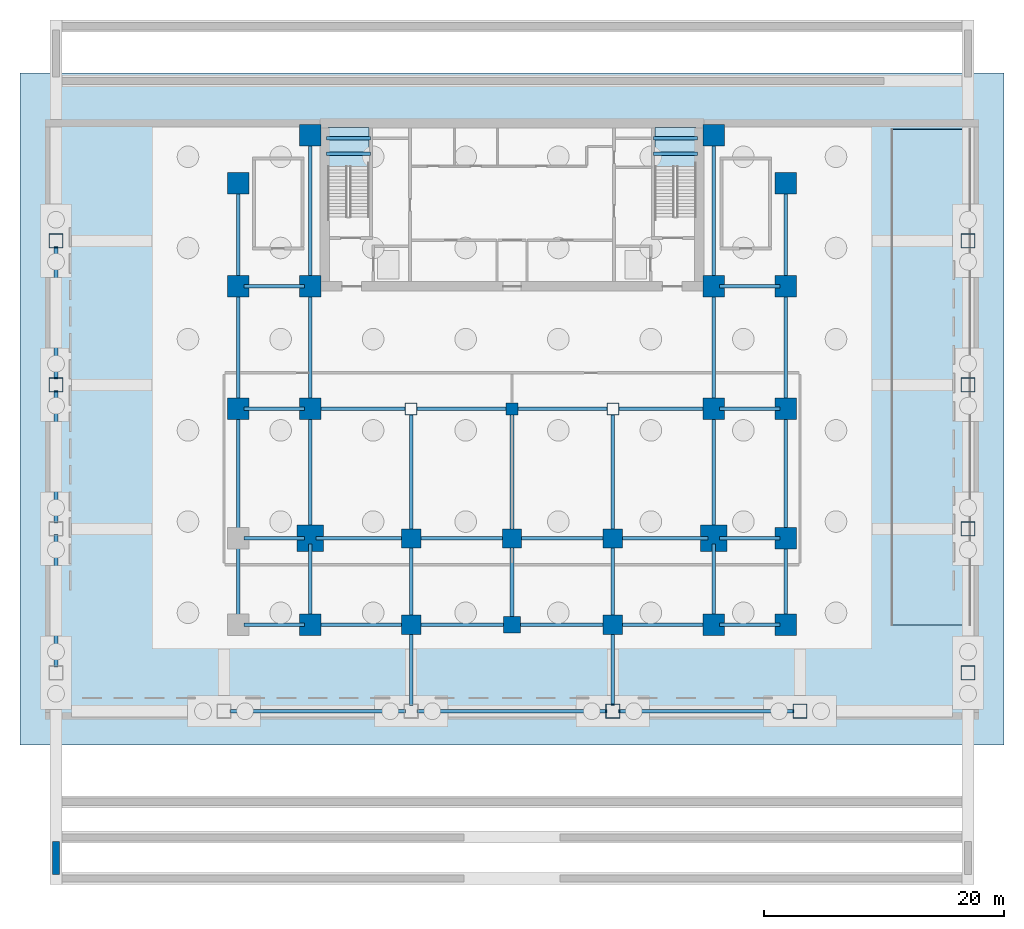
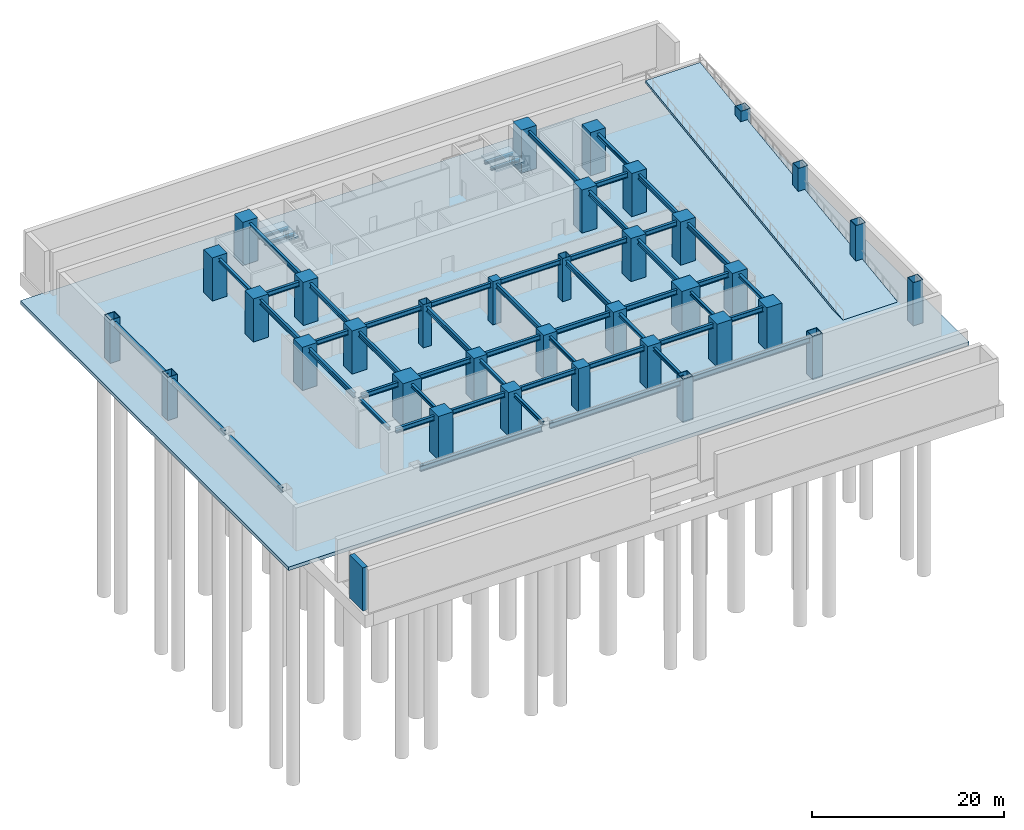
# One storey, part 2 of 9: 54 beams, 35 columns, 4 slabs, 1 wall, 2 elements without a shape of their own.
"""IFC4 building model written with IfcOpenShell, lengths in metres."""

from ifc_helpers import new_model, si_unit, direction, frame, frame_2d, origin, origin_with_axes, origin_2d, place, context, subcontext, project, spatial, polyline, rectangle, hollow_rectangle, i_section, outline, extrude, source, transform, mapped, material, layer, layer_set, material_profile, profile_set, type_object, element, aggregate, save


model = new_model("IFC4")

# Units and contexts
model_context = context("Model", 3, precision=1e-05, world=origin(), true_north=direction((0.0, 1.0)))
body_context = subcontext(model_context, "Body", "Model", "MODEL_VIEW")
ifc_project = project(units=[si_unit("LENGTHUNIT", "METRE"), si_unit("AREAUNIT", "SQUARE_METRE"), si_unit("VOLUMEUNIT", "CUBIC_METRE"), si_unit("PLANEANGLEUNIT", "RADIAN"), si_unit("MASSUNIT", "GRAM", prefix="KILO")], contexts=[model_context])

# Site, building, storey
site_placement = place(None, origin())
site = spatial("IfcSite", under=ifc_project, at=site_placement, CompositionType="ELEMENT")
building_placement = place(site_placement, origin())
building = spatial("IfcBuilding", under=site, at=building_placement, Name="Sumidabori Civic Tower", CompositionType="ELEMENT")
storey_placement = place(building_placement, frame((0.0, 0.0, -11.0)))
storey = spatial("IfcBuildingStorey", under=building, at=storey_placement, Name="B2", CompositionType="ELEMENT", Elevation=-11.0)

# Columns
ifc_material_1 = material(Name="Steel SM570", Category="steel")
ifc_material_profile_1 = material_profile(ifc_material_1, hollow_rectangle(XDim=1.199951171875, YDim=1.199951171875, WallThickness=0.054931640625, at=origin_2d()), Name="SHS 1200x1200x55")
ifc_profile_set_1 = profile_set([ifc_material_profile_1], Name="Steel SM570")
column_type_1 = type_object("IfcColumnType", Name="CL-POD-SHS1200", PredefinedType="COLUMN", material=ifc_profile_set_1)
shared_shape_1 = source(origin(), body_context, "Body", "SweptSolid", [
    extrude(hollow_rectangle(XDim=1.199951171875, YDim=1.199951171875, WallThickness=0.054931640625, at=origin_2d()), origin(), (0.0, 0.0, 1.0), 5.5),
])
for number, where, z_axis, x_axis, name in (
    (1, (-38.0, 2.0, 0.0), (0.0, 0.0, 1.0), (1.0, 0.0, 0.0), "Column PC-W3 B2"),
    (2, (-38.0, 14.0, 0.0), (0.0, 0.0, 1.0), (1.0, 0.0, 0.0), "Column PC-W4 B2"),
    (3, (38.0, -22.0, 0.0), (0.0, 0.0, 1.0), (1.0, 0.0, 0.0), "Column PC-E1 B2"),
    (4, (38.0, -10.0, 0.0), (0.0, 0.0, 1.0), (1.0, 0.0, 0.0), "Column PC-E2 B2"),
    (5, (38.0, 2.0, 0.0), (0.0, 0.0, 1.0), (1.0, 0.0, 0.0), "Column PC-E3 B2"),
    (6, (38.0, 14.0, 0.0), (0.0, 0.0, 1.0), (1.0, 0.0, 0.0), "Column PC-E4 B2"),
    (7, (8.39990234375, -25.199951171875, 0.0), (0.0, 0.0, 1.0), (1.0, 0.0, 0.0), "Column PC-S3 B2"),
    (8, (24.0, -25.199951171875, 0.0), (0.0, 0.0, 1.0), (1.0, 0.0, 0.0), "Column PC-S4 B2"),
):
    element("IfcColumn", number, at=place(storey_placement, frame(where, z_axis=z_axis, x_axis=x_axis)), inside=storey, type_object=column_type_1, Name=name, PredefinedType="COLUMN", context=body_context, shape_type="MappedRepresentation", body=[
        mapped(shared_shape_1, transform((0.0, 0.0, 0.0), x_axis=(1.0, 0.0, 0.0), y_axis=(0.0, 1.0, 0.0), z_axis=(0.0, 0.0, 1.0), scale=1.0)),
    ])
ifc_material_2 = material(Name="Concrete C60/75", Category="concrete")
ifc_material_profile_2 = material_profile(ifc_material_2, rectangle(XDim=1.800048828125, YDim=1.800048828125, at=origin_2d()), Name="RC 1800x1800")
ifc_profile_set_2 = profile_set([ifc_material_profile_2], Name="Concrete C60/75")
column_type_2 = type_object("IfcColumnType", Name="CL-MEGA-1800", PredefinedType="COLUMN", material=ifc_profile_set_2)
shared_shape_2 = source(origin(), body_context, "Body", "SweptSolid", [
    extrude(rectangle(XDim=1.800048828125, YDim=1.800048828125, at=origin_2d()), origin(), (0.0, 0.0, 1.0), 5.5),
])
for number, where, z_axis, x_axis, name in (
    (9, (-16.800048828125, -18.0, 0.0), (0.0, 0.0, 1.0), (1.0, 0.0, 0.0), "Column MC-W16-Y18S B2"),
    (10, (-16.800048828125, 0.0, 0.0), (0.0, 0.0, 1.0), (1.0, 0.0, 0.0), "Column MC-W16-Y00 B2"),
    (11, (-16.800048828125, 10.199951171875, 0.0), (0.0, 0.0, 1.0), (1.0, 0.0, 0.0), "Column MC-W16-Y10N B2"),
    (12, (-16.800048828125, 22.800048828125, 0.0), (0.0, 0.0, 1.0), (1.0, 0.0, 0.0), "Column MC-W16-Y23N B2"),
    (13, (16.800048828125, -18.0, 0.0), (0.0, 0.0, 1.0), (1.0, 0.0, 0.0), "Column MC-E16-Y18S B2"),
    (14, (16.800048828125, 0.0, 0.0), (0.0, 0.0, 1.0), (1.0, 0.0, 0.0), "Column MC-E16-Y00 B2"),
    (15, (16.800048828125, 10.199951171875, 0.0), (0.0, 0.0, 1.0), (1.0, 0.0, 0.0), "Column MC-E16-Y10N B2"),
    (16, (16.800048828125, 22.800048828125, 0.0), (0.0, 0.0, 1.0), (1.0, 0.0, 0.0), "Column MC-E16-Y23N B2"),
    (17, (-22.800048828125, 0.0, 0.0), (0.0, 0.0, 1.0), (1.0, 0.0, 0.0), "Column MC-W23-Y00 B2"),
    (18, (-22.800048828125, 10.199951171875, 0.0), (0.0, 0.0, 1.0), (1.0, 0.0, 0.0), "Column MC-W23-Y10N B2"),
    (19, (-22.800048828125, 18.800048828125, 0.0), (0.0, 0.0, 1.0), (1.0, 0.0, 0.0), "Column MC-W23-Y19N B2"),
    (20, (22.800048828125, -18.0, 0.0), (0.0, 0.0, 1.0), (1.0, 0.0, 0.0), "Column MC-E23-Y18S B2"),
    (21, (22.800048828125, -10.800048828125, 0.0), (0.0, 0.0, 1.0), (1.0, 0.0, 0.0), "Column MC-E23-Y11S B2"),
    (22, (22.800048828125, 0.0, 0.0), (0.0, 0.0, 1.0), (1.0, 0.0, 0.0), "Column MC-E23-Y00 B2"),
    (23, (22.800048828125, 10.199951171875, 0.0), (0.0, 0.0, 1.0), (1.0, 0.0, 0.0), "Column MC-E23-Y10N B2"),
    (24, (22.800048828125, 18.800048828125, 0.0), (0.0, 0.0, 1.0), (1.0, 0.0, 0.0), "Column MC-E23-Y19N B2"),
):
    element("IfcColumn", number, at=place(storey_placement, frame(where, z_axis=z_axis, x_axis=x_axis)), inside=storey, type_object=column_type_2, Name=name, PredefinedType="COLUMN", context=body_context, shape_type="MappedRepresentation", body=[
        mapped(shared_shape_2, transform((0.0, 0.0, 0.0), x_axis=(1.0, 0.0, 0.0), y_axis=(0.0, 1.0, 0.0), z_axis=(0.0, 0.0, 1.0), scale=1.0)),
    ])
ifc_material_profile_3 = material_profile(ifc_material_2, rectangle(XDim=2.199951171875, YDim=2.199951171875, at=origin_2d()), Name="RC 2200x2200")
ifc_profile_set_3 = profile_set([ifc_material_profile_3], Name="Concrete C60/75")
column_type_3 = type_object("IfcColumnType", Name="CL-SUPER-2200", PredefinedType="COLUMN", material=ifc_profile_set_3)
shared_shape_3 = source(origin(), body_context, "Body", "SweptSolid", [
    extrude(rectangle(XDim=2.199951171875, YDim=2.199951171875, at=origin_2d()), origin(), (0.0, 0.0, 1.0), 5.5),
])
for number, where, z_axis, x_axis, name in (
    (25, (-16.800048828125, -10.800048828125, 0.0), (0.0, 0.0, 1.0), (1.0, 0.0, 0.0), "Column MC-W16-Y11S B2"),
    (26, (16.800048828125, -10.800048828125, 0.0), (0.0, 0.0, 1.0), (1.0, 0.0, 0.0), "Column MC-E16-Y11S B2"),
):
    element("IfcColumn", number, at=place(storey_placement, frame(where, z_axis=z_axis, x_axis=x_axis)), inside=storey, type_object=column_type_3, Name=name, PredefinedType="COLUMN", context=body_context, shape_type="MappedRepresentation", body=[
        mapped(shared_shape_3, transform((0.0, 0.0, 0.0), x_axis=(1.0, 0.0, 0.0), y_axis=(0.0, 1.0, 0.0), z_axis=(0.0, 0.0, 1.0), scale=1.0)),
    ])
ifc_material_profile_4 = material_profile(ifc_material_2, rectangle(XDim=1.60009765625, YDim=1.60009765625, at=origin_2d()), Name="RC 1600x1600")
ifc_profile_set_4 = profile_set([ifc_material_profile_4], Name="Concrete C60/75")
column_type_4 = type_object("IfcColumnType", Name="CL-MEGA-1600", PredefinedType="COLUMN", material=ifc_profile_set_4)
shared_shape_4 = source(origin(), body_context, "Body", "SweptSolid", [
    extrude(rectangle(XDim=1.60009765625, YDim=1.60009765625, at=origin_2d()), origin(), (0.0, 0.0, 1.0), 5.5),
])
for number, where, z_axis, x_axis, name in (
    (27, (-8.39990234375, -18.0, 0.0), (0.0, 0.0, 1.0), (1.0, 0.0, 0.0), "Column MC-W08-Y18S B2"),
    (28, (-8.39990234375, -10.800048828125, 0.0), (0.0, 0.0, 1.0), (1.0, 0.0, 0.0), "Column MC-W08-Y11S B2"),
    (29, (8.39990234375, -18.0, 0.0), (0.0, 0.0, 1.0), (1.0, 0.0, 0.0), "Column MC-E08-Y18S B2"),
    (30, (8.39990234375, -10.800048828125, 0.0), (0.0, 0.0, 1.0), (1.0, 0.0, 0.0), "Column MC-E08-Y11S B2"),
    (31, (0.0, -10.800048828125, 0.0), (0.0, 0.0, 1.0), (1.0, 0.0, 0.0), "Column MC-C00-Y11S B2"),
):
    element("IfcColumn", number, at=place(storey_placement, frame(where, z_axis=z_axis, x_axis=x_axis)), inside=storey, type_object=column_type_4, Name=name, PredefinedType="COLUMN", context=body_context, shape_type="MappedRepresentation", body=[
        mapped(shared_shape_4, transform((0.0, 0.0, 0.0), x_axis=(1.0, 0.0, 0.0), y_axis=(0.0, 1.0, 0.0), z_axis=(0.0, 0.0, 1.0), scale=1.0)),
    ])
ifc_material_profile_5 = material_profile(ifc_material_1, hollow_rectangle(XDim=1.0, YDim=1.0, WallThickness=0.044921875, at=origin_2d()), Name="SHS 1000x1000x45")
ifc_profile_set_5 = profile_set([ifc_material_profile_5], Name="Steel SM570")
column_type_5 = type_object("IfcColumnType", Name="CL-PORTAL-SHS1000", PredefinedType="COLUMN", material=ifc_profile_set_5)
shared_shape_5 = source(origin(), body_context, "Body", "SweptSolid", [
    extrude(hollow_rectangle(XDim=1.0, YDim=1.0, WallThickness=0.044921875, at=origin_2d()), origin(), (0.0, 0.0, 1.0), 5.5),
])
for number, where, z_axis, x_axis, name in (
    (32, (-8.39990234375, 0.0, 0.0), (0.0, 0.0, 1.0), (1.0, 0.0, 0.0), "Column MC-W08-Y00 B2"),
    (33, (8.39990234375, 0.0, 0.0), (0.0, 0.0, 1.0), (1.0, 0.0, 0.0), "Column MC-E08-Y00 B2"),
):
    element("IfcColumn", number, at=place(storey_placement, frame(where, z_axis=z_axis, x_axis=x_axis)), inside=storey, type_object=column_type_5, Name=name, PredefinedType="COLUMN", context=body_context, shape_type="MappedRepresentation", body=[
        mapped(shared_shape_5, transform((0.0, 0.0, 0.0), x_axis=(1.0, 0.0, 0.0), y_axis=(0.0, 1.0, 0.0), z_axis=(0.0, 0.0, 1.0), scale=1.0)),
    ])
ifc_material_profile_6 = material_profile(ifc_material_2, rectangle(XDim=1.39990234375, YDim=1.39990234375, at=origin_2d()), Name="RC 1400x1400")
ifc_profile_set_6 = profile_set([ifc_material_profile_6], Name="Concrete C60/75")
column_type_6 = type_object("IfcColumnType", Name="CL-MEGA-1400", PredefinedType="COLUMN", material=ifc_profile_set_6)
shared_shape_6 = source(origin(), body_context, "Body", "SweptSolid", [
    extrude(rectangle(XDim=1.39990234375, YDim=1.39990234375, at=origin_2d()), origin(), (0.0, 0.0, 1.0), 5.5),
])
column_1_placement = place(storey_placement, frame((0.0, -18.0, 0.0), z_axis=(0.0, 0.0, 1.0), x_axis=(1.0, 0.0, 0.0)))
element("IfcColumn", 34, at=column_1_placement, inside=storey, type_object=column_type_6, Name="Column MC-C00-Y18S B2", PredefinedType="COLUMN", context=body_context, shape_type="MappedRepresentation", body=[
    mapped(shared_shape_6, transform((0.0, 0.0, 0.0), x_axis=(1.0, 0.0, 0.0), y_axis=(0.0, 1.0, 0.0), z_axis=(0.0, 0.0, 1.0), scale=1.0)),
])
ifc_material_3 = material(Name="Concrete C50/60", Category="concrete")
ifc_material_profile_7 = material_profile(ifc_material_3, rectangle(XDim=1.0, YDim=1.0, at=origin_2d()), Name="RC 1000x1000")
ifc_profile_set_7 = profile_set([ifc_material_profile_7], Name="Concrete C50/60")
column_type_7 = type_object("IfcColumnType", Name="CL-INT-1000", PredefinedType="COLUMN", material=ifc_profile_set_7)
shared_shape_7 = source(origin(), body_context, "Body", "SweptSolid", [
    extrude(rectangle(XDim=1.0, YDim=1.0, at=origin_2d()), origin(), (0.0, 0.0, 1.0), 5.5),
])
column_2_placement = place(storey_placement, origin_with_axes())
element("IfcColumn", 35, at=column_2_placement, inside=storey, type_object=column_type_7, Name="Column MC-C00-Y00 B2", PredefinedType="COLUMN", context=body_context, shape_type="MappedRepresentation", body=[
    mapped(shared_shape_7, transform((0.0, 0.0, 0.0), x_axis=(1.0, 0.0, 0.0), y_axis=(0.0, 1.0, 0.0), z_axis=(0.0, 0.0, 1.0), scale=1.0)),
])

# Beams
ifc_material_4 = material(Name="Steel SN490", Category="steel")
ifc_material_profile_8 = material_profile(ifc_material_4, i_section(OverallWidth=0.300048828125, OverallDepth=0.300048828125, WebThickness=0.010986328125, FlangeThickness=0.01904296875, at=origin_2d()), Name="HE 300 B")
ifc_profile_set_8 = profile_set([ifc_material_profile_8], Name="Steel SN490")
beam_type_1 = type_object("IfcBeamType", Name="BM-LDG-300", PredefinedType="BEAM", material=ifc_profile_set_8)
shared_shape_8 = source(origin(), body_context, "Body", "SweptSolid", [
    extrude(i_section(OverallWidth=0.300048828125, OverallDepth=0.300048828125, WebThickness=0.010986328125, FlangeThickness=0.01904296875, at=origin_2d()), origin(), (0.0, 0.0, 1.0), 3.64990234375),
])
for number, where, z_axis, x_axis, name in (
    (36, (-15.449951171875, 21.239990234375, 2.39990234375), (1.0, 0.0, 0.0), (0.0, 1.0, 0.0), "Stair ST-1 Landing Support Beam B2-1A"),
    (37, (-15.449951171875, 22.5400390625, 2.39990234375), (1.0, 0.0, 0.0), (0.0, 1.0, 0.0), "Stair ST-1 Landing Trimmer Beam B2-1B"),
    (38, (11.800048828125, 21.239990234375, 2.39990234375), (1.0, 0.0, 0.0), (0.0, 1.0, 0.0), "Stair ST-2 Landing Support Beam B2-1A"),
    (39, (11.800048828125, 22.5400390625, 2.39990234375), (1.0, 0.0, 0.0), (0.0, 1.0, 0.0), "Stair ST-2 Landing Trimmer Beam B2-1B"),
):
    element("IfcBeam", number, at=place(storey_placement, frame(where, z_axis=z_axis, x_axis=x_axis)), inside=storey, type_object=beam_type_1, Name=name, PredefinedType="BEAM", context=body_context, shape_type="MappedRepresentation", body=[
        mapped(shared_shape_8, transform((0.0, 0.0, 0.0), x_axis=(1.0, 0.0, 0.0), y_axis=(0.0, 1.0, 0.0), z_axis=(0.0, 0.0, 1.0), scale=1.0)),
    ])
ifc_material_profile_9 = material_profile(ifc_material_4, i_section(OverallWidth=0.300048828125, OverallDepth=0.699951171875, WebThickness=0.01708984375, FlangeThickness=0.031982421875, at=origin_2d()), Name="HE 700 B")
ifc_profile_set_9 = profile_set([ifc_material_profile_9], Name="Steel SN490")
beam_type_2 = type_object("IfcBeamType", Name="BM-GIRD-700", PredefinedType="BEAM", material=ifc_profile_set_9)
shared_shape_9 = source(origin(), body_context, "Body", "SweptSolid", [
    extrude(i_section(OverallWidth=0.300048828125, OverallDepth=0.699951171875, WebThickness=0.01708984375, FlangeThickness=0.031982421875, at=origin_2d()), origin(), (0.0, 0.0, 1.0), 14.64013671875),
])
for number, where, z_axis, x_axis, name in (
    (40, (-23.52001953125, -25.199951171875, 4.800048828125), (1.0, 0.0, 0.0), (0.0, 1.0, 0.0), "Primary Girder B2 GX-01"),
    (41, (8.8798828125, -25.199951171875, 4.800048828125), (1.0, 0.0, 0.0), (0.0, 1.0, 0.0), "Primary Girder B2 GX-03"),
):
    element("IfcBeam", number, at=place(storey_placement, frame(where, z_axis=z_axis, x_axis=x_axis)), inside=storey, type_object=beam_type_2, Name=name, PredefinedType="BEAM", context=body_context, shape_type="MappedRepresentation", body=[
        mapped(shared_shape_9, transform((0.0, 0.0, 0.0), x_axis=(1.0, 0.0, 0.0), y_axis=(0.0, 1.0, 0.0), z_axis=(0.0, 0.0, 1.0), scale=1.0)),
    ])
shared_shape_10 = source(origin(), body_context, "Body", "SweptSolid", [
    extrude(i_section(OverallWidth=0.300048828125, OverallDepth=0.699951171875, WebThickness=0.01708984375, FlangeThickness=0.031982421875, at=origin_2d()), origin(), (0.0, 0.0, 1.0), 15.83984375),
])
beam_placement = place(storey_placement, frame((-7.919921875, -25.199951171875, 4.800048828125), z_axis=(1.0, 0.0, 0.0), x_axis=(0.0, 1.0, 0.0)))
element("IfcBeam", 42, at=beam_placement, inside=storey, type_object=beam_type_2, Name="Primary Girder B2 GX-02", PredefinedType="BEAM", context=body_context, shape_type="MappedRepresentation", body=[
    mapped(shared_shape_10, transform((0.0, 0.0, 0.0), x_axis=(1.0, 0.0, 0.0), y_axis=(0.0, 1.0, 0.0), z_axis=(0.0, 0.0, 1.0), scale=1.0)),
])
ifc_material_profile_10 = material_profile(ifc_material_4, i_section(OverallWidth=0.300048828125, OverallDepth=0.60009765625, WebThickness=0.015380859375, FlangeThickness=0.030029296875, at=origin_2d()), Name="HE 600 B")
ifc_profile_set_10 = profile_set([ifc_material_profile_10], Name="Steel SN490")
beam_type_3 = type_object("IfcBeamType", Name="BM-GIRD-600", PredefinedType="BEAM", material=ifc_profile_set_10)
shared_shape_11 = source(origin(), body_context, "Body", "SweptSolid", [
    extrude(i_section(OverallWidth=0.300048828125, OverallDepth=0.60009765625, WebThickness=0.015380859375, FlangeThickness=0.030029296875, at=origin_2d()), origin(), (0.0, 0.0, 1.0), 5.0400390625),
])
for number, where, z_axis, x_axis, name in (
    (43, (-22.320068359375, -18.0, 4.85009765625), (1.0, 0.0, 0.0), (0.0, 1.0, 0.0), "Primary Girder B2 GX-04"),
    (44, (17.280029296875, -18.0, 4.85009765625), (1.0, 0.0, 0.0), (0.0, 1.0, 0.0), "Primary Girder B2 GX-09"),
    (45, (-22.320068359375, -10.800048828125, 4.85009765625), (1.0, 0.0, 0.0), (0.0, 1.0, 0.0), "Primary Girder B2 GX-10"),
    (46, (17.280029296875, -10.800048828125, 4.85009765625), (1.0, 0.0, 0.0), (0.0, 1.0, 0.0), "Primary Girder B2 GX-15"),
    (47, (-22.320068359375, 0.0, 4.85009765625), (1.0, 0.0, 0.0), (0.0, 1.0, 0.0), "Primary Girder B2 GX-16"),
    (48, (17.280029296875, 0.0, 4.85009765625), (1.0, 0.0, 0.0), (0.0, 1.0, 0.0), "Primary Girder B2 GX-21"),
    (49, (-22.320068359375, 10.199951171875, 4.85009765625), (1.0, 0.0, 0.0), (0.0, 1.0, 0.0), "Primary Girder B2 GX-22"),
    (50, (17.280029296875, 10.199951171875, 4.85009765625), (1.0, 0.0, 0.0), (0.0, 1.0, 0.0), "Primary Girder B2 GX-23"),
):
    element("IfcBeam", number, at=place(storey_placement, frame(where, z_axis=z_axis, x_axis=x_axis)), inside=storey, type_object=beam_type_3, Name=name, PredefinedType="BEAM", context=body_context, shape_type="MappedRepresentation", body=[
        mapped(shared_shape_11, transform((0.0, 0.0, 0.0), x_axis=(1.0, 0.0, 0.0), y_axis=(0.0, 1.0, 0.0), z_axis=(0.0, 0.0, 1.0), scale=1.0)),
    ])
shared_shape_12 = source(origin(), body_context, "Body", "SweptSolid", [
    extrude(i_section(OverallWidth=0.300048828125, OverallDepth=0.60009765625, WebThickness=0.015380859375, FlangeThickness=0.030029296875, at=origin_2d()), origin(), (0.0, 0.0, 1.0), 7.440185546875),
])
for number, where, z_axis, x_axis, name in (
    (51, (-16.320068359375, -18.0, 4.85009765625), (1.0, 0.0, 0.0), (0.0, 1.0, 0.0), "Primary Girder B2 GX-05"),
    (52, (8.8798828125, -18.0, 4.85009765625), (1.0, 0.0, 0.0), (0.0, 1.0, 0.0), "Primary Girder B2 GX-08"),
    (53, (-16.320068359375, -10.800048828125, 4.85009765625), (1.0, 0.0, 0.0), (0.0, 1.0, 0.0), "Primary Girder B2 GX-11"),
    (54, (8.8798828125, -10.800048828125, 4.85009765625), (1.0, 0.0, 0.0), (0.0, 1.0, 0.0), "Primary Girder B2 GX-14"),
    (55, (-16.320068359375, 0.0, 4.85009765625), (1.0, 0.0, 0.0), (0.0, 1.0, 0.0), "Primary Girder B2 GX-17"),
    (56, (8.8798828125, 0.0, 4.85009765625), (1.0, 0.0, 0.0), (0.0, 1.0, 0.0), "Primary Girder B2 GX-20"),
):
    element("IfcBeam", number, at=place(storey_placement, frame(where, z_axis=z_axis, x_axis=x_axis)), inside=storey, type_object=beam_type_3, Name=name, PredefinedType="BEAM", context=body_context, shape_type="MappedRepresentation", body=[
        mapped(shared_shape_12, transform((0.0, 0.0, 0.0), x_axis=(1.0, 0.0, 0.0), y_axis=(0.0, 1.0, 0.0), z_axis=(0.0, 0.0, 1.0), scale=1.0)),
    ])
shared_shape_13 = source(origin(), body_context, "Body", "SweptSolid", [
    extrude(i_section(OverallWidth=0.300048828125, OverallDepth=0.60009765625, WebThickness=0.015380859375, FlangeThickness=0.030029296875, at=origin_2d()), origin(), (0.0, 0.0, 1.0), 7.43994140625),
])
for number, where, z_axis, x_axis, name in (
    (57, (-7.919921875, -18.0, 4.85009765625), (1.0, 0.0, 0.0), (0.0, 1.0, 0.0), "Primary Girder B2 GX-06"),
    (58, (0.47998046875, -18.0, 4.85009765625), (1.0, 0.0, 0.0), (0.0, 1.0, 0.0), "Primary Girder B2 GX-07"),
    (59, (-7.919921875, -10.800048828125, 4.85009765625), (1.0, 0.0, 0.0), (0.0, 1.0, 0.0), "Primary Girder B2 GX-12"),
    (60, (0.47998046875, -10.800048828125, 4.85009765625), (1.0, 0.0, 0.0), (0.0, 1.0, 0.0), "Primary Girder B2 GX-13"),
    (61, (-7.919921875, 0.0, 4.85009765625), (1.0, 0.0, 0.0), (0.0, 1.0, 0.0), "Primary Girder B2 GX-18"),
    (62, (0.47998046875, 0.0, 4.85009765625), (1.0, 0.0, 0.0), (0.0, 1.0, 0.0), "Primary Girder B2 GX-19"),
):
    element("IfcBeam", number, at=place(storey_placement, frame(where, z_axis=z_axis, x_axis=x_axis)), inside=storey, type_object=beam_type_3, Name=name, PredefinedType="BEAM", context=body_context, shape_type="MappedRepresentation", body=[
        mapped(shared_shape_13, transform((0.0, 0.0, 0.0), x_axis=(1.0, 0.0, 0.0), y_axis=(0.0, 1.0, 0.0), z_axis=(0.0, 0.0, 1.0), scale=1.0)),
    ])
shared_shape_14 = source(origin(), body_context, "Body", "SweptSolid", [
    extrude(i_section(OverallWidth=0.300048828125, OverallDepth=0.60009765625, WebThickness=0.015380859375, FlangeThickness=0.030029296875, at=origin_2d()), origin(), (0.0, 0.0, 1.0), 11.0400390625),
])
for number, where, z_axis, x_axis, name in (
    (63, (-38.0, -21.52001953125, 4.85009765625), (0.0, 1.0, 0.0), (-1.0, 0.0, 0.0), "Primary Girder B2 GY-24"),
    (64, (-38.0, -9.52001953125, 4.85009765625), (0.0, 1.0, 0.0), (-1.0, 0.0, 0.0), "Primary Girder B2 GY-25"),
    (65, (-38.0, 2.47998046875, 4.85009765625), (0.0, 1.0, 0.0), (-1.0, 0.0, 0.0), "Primary Girder B2 GY-26"),
):
    element("IfcBeam", number, at=place(storey_placement, frame(where, z_axis=z_axis, x_axis=x_axis)), inside=storey, type_object=beam_type_3, Name=name, PredefinedType="BEAM", context=body_context, shape_type="MappedRepresentation", body=[
        mapped(shared_shape_14, transform((0.0, 0.0, 0.0), x_axis=(1.0, 0.0, 0.0), y_axis=(0.0, 1.0, 0.0), z_axis=(0.0, 0.0, 1.0), scale=1.0)),
    ])
ifc_material_profile_11 = material_profile(ifc_material_4, i_section(OverallWidth=0.300048828125, OverallDepth=0.39990234375, WebThickness=0.013427734375, FlangeThickness=0.02392578125, at=origin_2d()), Name="HE 400 B")
ifc_profile_set_11 = profile_set([ifc_material_profile_11], Name="Steel SN490")
beam_type_4 = type_object("IfcBeamType", Name="BM-GIRD-400", PredefinedType="BEAM", material=ifc_profile_set_11)
shared_shape_15 = source(origin(), body_context, "Body", "SweptSolid", [
    extrude(i_section(OverallWidth=0.300048828125, OverallDepth=0.39990234375, WebThickness=0.013427734375, FlangeThickness=0.02392578125, at=origin_2d()), origin(), (0.0, 0.0, 1.0), 6.239990234375),
])
for number, where, z_axis, x_axis, name in (
    (66, (-22.800048828125, -17.52001953125, 4.949951171875), (0.0, 1.0, 0.0), (-1.0, 0.0, 0.0), "Primary Girder B2 GY-27"),
    (67, (-16.800048828125, -17.52001953125, 4.949951171875), (0.0, 1.0, 0.0), (-1.0, 0.0, 0.0), "Primary Girder B2 GY-31"),
    (68, (-8.39990234375, -24.719970703125, 4.949951171875), (0.0, 1.0, 0.0), (-1.0, 0.0, 0.0), "Primary Girder B2 GY-35"),
    (69, (-8.39990234375, -17.52001953125, 4.949951171875), (0.0, 1.0, 0.0), (-1.0, 0.0, 0.0), "Primary Girder B2 GY-36"),
    (70, (0.0, -17.52001953125, 4.949951171875), (0.0, 1.0, 0.0), (-1.0, 0.0, 0.0), "Primary Girder B2 GY-38"),
    (71, (8.39990234375, -24.719970703125, 4.949951171875), (0.0, 1.0, 0.0), (-1.0, 0.0, 0.0), "Primary Girder B2 GY-40"),
    (72, (8.39990234375, -17.52001953125, 4.949951171875), (0.0, 1.0, 0.0), (-1.0, 0.0, 0.0), "Primary Girder B2 GY-41"),
    (73, (16.800048828125, -17.52001953125, 4.949951171875), (0.0, 1.0, 0.0), (-1.0, 0.0, 0.0), "Primary Girder B2 GY-43"),
    (74, (22.800048828125, -17.52001953125, 4.949951171875), (0.0, 1.0, 0.0), (-1.0, 0.0, 0.0), "Primary Girder B2 GY-47"),
):
    element("IfcBeam", number, at=place(storey_placement, frame(where, z_axis=z_axis, x_axis=x_axis)), inside=storey, type_object=beam_type_4, Name=name, PredefinedType="BEAM", context=body_context, shape_type="MappedRepresentation", body=[
        mapped(shared_shape_15, transform((0.0, 0.0, 0.0), x_axis=(1.0, 0.0, 0.0), y_axis=(0.0, 1.0, 0.0), z_axis=(0.0, 0.0, 1.0), scale=1.0)),
    ])
shared_shape_16 = source(origin(), body_context, "Body", "SweptSolid", [
    extrude(i_section(OverallWidth=0.300048828125, OverallDepth=0.60009765625, WebThickness=0.015380859375, FlangeThickness=0.030029296875, at=origin_2d()), origin(), (0.0, 0.0, 1.0), 9.840087890625),
])
for number, where, z_axis, x_axis, name in (
    (75, (-22.800048828125, -10.320068359375, 4.85009765625), (0.0, 1.0, 0.0), (-1.0, 0.0, 0.0), "Primary Girder B2 GY-28"),
    (76, (-16.800048828125, -10.320068359375, 4.85009765625), (0.0, 1.0, 0.0), (-1.0, 0.0, 0.0), "Primary Girder B2 GY-32"),
    (77, (-8.39990234375, -10.320068359375, 4.85009765625), (0.0, 1.0, 0.0), (-1.0, 0.0, 0.0), "Primary Girder B2 GY-37"),
    (78, (0.0, -10.320068359375, 4.85009765625), (0.0, 1.0, 0.0), (-1.0, 0.0, 0.0), "Primary Girder B2 GY-39"),
    (79, (8.39990234375, -10.320068359375, 4.85009765625), (0.0, 1.0, 0.0), (-1.0, 0.0, 0.0), "Primary Girder B2 GY-42"),
    (80, (16.800048828125, -10.320068359375, 4.85009765625), (0.0, 1.0, 0.0), (-1.0, 0.0, 0.0), "Primary Girder B2 GY-44"),
    (81, (22.800048828125, -10.320068359375, 4.85009765625), (0.0, 1.0, 0.0), (-1.0, 0.0, 0.0), "Primary Girder B2 GY-48"),
):
    element("IfcBeam", number, at=place(storey_placement, frame(where, z_axis=z_axis, x_axis=x_axis)), inside=storey, type_object=beam_type_3, Name=name, PredefinedType="BEAM", context=body_context, shape_type="MappedRepresentation", body=[
        mapped(shared_shape_16, transform((0.0, 0.0, 0.0), x_axis=(1.0, 0.0, 0.0), y_axis=(0.0, 1.0, 0.0), z_axis=(0.0, 0.0, 1.0), scale=1.0)),
    ])
shared_shape_17 = source(origin(), body_context, "Body", "SweptSolid", [
    extrude(i_section(OverallWidth=0.300048828125, OverallDepth=0.60009765625, WebThickness=0.015380859375, FlangeThickness=0.030029296875, at=origin_2d()), origin(), (0.0, 0.0, 1.0), 9.239990234375),
])
for number, where, z_axis, x_axis, name in (
    (82, (-22.800048828125, 0.47998046875, 4.85009765625), (0.0, 1.0, 0.0), (-1.0, 0.0, 0.0), "Primary Girder B2 GY-29"),
    (83, (-16.800048828125, 0.47998046875, 4.85009765625), (0.0, 1.0, 0.0), (-1.0, 0.0, 0.0), "Primary Girder B2 GY-33"),
    (84, (16.800048828125, 0.47998046875, 4.85009765625), (0.0, 1.0, 0.0), (-1.0, 0.0, 0.0), "Primary Girder B2 GY-45"),
    (85, (22.800048828125, 0.47998046875, 4.85009765625), (0.0, 1.0, 0.0), (-1.0, 0.0, 0.0), "Primary Girder B2 GY-49"),
):
    element("IfcBeam", number, at=place(storey_placement, frame(where, z_axis=z_axis, x_axis=x_axis)), inside=storey, type_object=beam_type_3, Name=name, PredefinedType="BEAM", context=body_context, shape_type="MappedRepresentation", body=[
        mapped(shared_shape_17, transform((0.0, 0.0, 0.0), x_axis=(1.0, 0.0, 0.0), y_axis=(0.0, 1.0, 0.0), z_axis=(0.0, 0.0, 1.0), scale=1.0)),
    ])
shared_shape_18 = source(origin(), body_context, "Body", "SweptSolid", [
    extrude(i_section(OverallWidth=0.300048828125, OverallDepth=0.39990234375, WebThickness=0.013427734375, FlangeThickness=0.02392578125, at=origin_2d()), origin(), (0.0, 0.0, 1.0), 7.64013671875),
])
for number, where, z_axis, x_axis, name in (
    (86, (-22.800048828125, 10.679931640625, 4.949951171875), (0.0, 1.0, 0.0), (-1.0, 0.0, 0.0), "Primary Girder B2 GY-30"),
    (87, (22.800048828125, 10.679931640625, 4.949951171875), (0.0, 1.0, 0.0), (-1.0, 0.0, 0.0), "Primary Girder B2 GY-50"),
):
    element("IfcBeam", number, at=place(storey_placement, frame(where, z_axis=z_axis, x_axis=x_axis)), inside=storey, type_object=beam_type_4, Name=name, PredefinedType="BEAM", context=body_context, shape_type="MappedRepresentation", body=[
        mapped(shared_shape_18, transform((0.0, 0.0, 0.0), x_axis=(1.0, 0.0, 0.0), y_axis=(0.0, 1.0, 0.0), z_axis=(0.0, 0.0, 1.0), scale=1.0)),
    ])
shared_shape_19 = source(origin(), body_context, "Body", "SweptSolid", [
    extrude(i_section(OverallWidth=0.300048828125, OverallDepth=0.60009765625, WebThickness=0.015380859375, FlangeThickness=0.030029296875, at=origin_2d()), origin(), (0.0, 0.0, 1.0), 11.64013671875),
])
for number, where, z_axis, x_axis, name in (
    (88, (-16.800048828125, 10.679931640625, 4.85009765625), (0.0, 1.0, 0.0), (-1.0, 0.0, 0.0), "Primary Girder B2 GY-34"),
    (89, (16.800048828125, 10.679931640625, 4.85009765625), (0.0, 1.0, 0.0), (-1.0, 0.0, 0.0), "Primary Girder B2 GY-46"),
):
    element("IfcBeam", number, at=place(storey_placement, frame(where, z_axis=z_axis, x_axis=x_axis)), inside=storey, type_object=beam_type_3, Name=name, PredefinedType="BEAM", context=body_context, shape_type="MappedRepresentation", body=[
        mapped(shared_shape_19, transform((0.0, 0.0, 0.0), x_axis=(1.0, 0.0, 0.0), y_axis=(0.0, 1.0, 0.0), z_axis=(0.0, 0.0, 1.0), scale=1.0)),
    ])

# Slab
ifc_layer_1 = layer(ifc_material_3, 0.449951171875, Name="Concrete C50/60")
ifc_layer_set_1 = layer_set([ifc_layer_1], Name="Concrete C50/60")
slab_type_1 = type_object("IfcSlabType", Name="SL-BASE-450", PredefinedType="BASESLAB", material=ifc_layer_set_1)
slab_1_placement = place(storey_placement, frame((0.0, 0.0, -0.449951171875)))
element("IfcSlab", 90, at=slab_1_placement, inside=storey, type_object=slab_type_1, Name="Structural Slab B2", PredefinedType="BASESLAB", context=body_context, shape_type="SweptSolid", body=[
    extrude(outline(polyline([(-41.0, -28.0), (41.0, -28.0), (41.0, 28.0), (-41.0, 28.0), (-41.0, -28.0)])), origin(), (0.0, 0.0, 1.0), 0.449951171875),
])

# Stair, slab
ifc_material_5 = material(Name="Concrete C40/50", Category="concrete")
stair_type = type_object("IfcStairType", Name="ST-CORE-1600", PredefinedType="HALF_TURN_STAIR", material=ifc_material_5)
stair_1_placement = place(storey_placement, origin())
stair_1 = element("IfcStair", 91, at=stair_1_placement, inside=storey, type_object=stair_type, Name="B2 ST-1", PredefinedType="HALF_TURN_STAIR")
ifc_layer_2 = layer(ifc_material_5, 0.199951171875, Name="Concrete C40/50")
ifc_layer_set_2 = layer_set([ifc_layer_2], Name="Concrete C40/50")
slab_type_2 = type_object("IfcSlabType", Name="SL-LAND-200", PredefinedType="LANDING", material=ifc_layer_set_2)
slab_2_placement = place(storey_placement, frame((0.0, 0.0, 2.550048828125)))
slab_2 = element("IfcSlab", 92, at=slab_2_placement, type_object=slab_type_2, Name="ST-1 landing 1", PredefinedType="LANDING", context=body_context, shape_type="SweptSolid", body=[
    extrude(outline(polyline([(-11.89990234375, 20.199951171875), (-11.89990234375, 23.449951171875), (-15.340087890625, 23.449951171875), (-15.340087890625, 20.199951171875), (-11.89990234375, 20.199951171875)])), origin(), (0.0, 0.0, 1.0), 0.199951171875),
])
aggregate(stair_1, [slab_2])

stair_2_placement = place(storey_placement, origin())
stair_2 = element("IfcStair", 93, at=stair_2_placement, inside=storey, type_object=stair_type, Name="B2 ST-2", PredefinedType="HALF_TURN_STAIR")
slab_3_placement = place(storey_placement, frame((0.0, 0.0, 2.550048828125)))
slab_3 = element("IfcSlab", 94, at=slab_3_placement, type_object=slab_type_2, Name="ST-2 landing 1", PredefinedType="LANDING", context=body_context, shape_type="SweptSolid", body=[
    extrude(outline(polyline([(15.340087890625, 20.199951171875), (15.340087890625, 23.449951171875), (11.89990234375, 23.449951171875), (11.89990234375, 20.199951171875), (15.340087890625, 20.199951171875)])), origin(), (0.0, 0.0, 1.0), 0.199951171875),
])
aggregate(stair_2, [slab_3])

# Slab
ifc_layer_3 = layer(ifc_material_5, 0.300048828125, Name="Concrete C40/50")
ifc_layer_set_3 = layer_set([ifc_layer_3], Name="Concrete C40/50")
slab_type_3 = type_object("IfcSlabType", Name="SL-RAMP-VEH300", PredefinedType="FLOOR", material=ifc_layer_set_3)
slab_4_placement = place(storey_placement, frame((31.60009765625, -18.0, 0.0), z_axis=(0.0, -0.132132216749, 0.991232100619), x_axis=(1.0, 0.0, 0.0)))
element("IfcSlab", 95, at=slab_4_placement, inside=storey, type_object=slab_type_3, Name="Car Park Vehicle Ramp Slab R1 (B2 to B1)", PredefinedType="FLOOR", context=body_context, shape_type="SweptSolid", body=[
    extrude(outline(polyline([(0.0, 0.0), (6.599853515625, 0.0), (6.599853515625, 41.62497334364877), (0.0, 41.62497334364877), (0.0, 0.0)])), origin(), (0.0, 0.0, -1.0), 0.300048828125),
])

# Wall
ifc_layer_4 = layer(ifc_material_3, 0.60009765625, Name="Concrete C50/60")
ifc_layer_set_4 = layer_set([ifc_layer_4], Name="Concrete C50/60")
wall_type = type_object("IfcWallType", Name="WL-RET-600", PredefinedType="SHEAR", material=ifc_layer_set_4)
shared_shape_20 = source(origin(), body_context, "Body", "SweptSolid", [
    extrude(rectangle(XDim=2.75, YDim=0.60009765625, at=frame_2d((1.375, 0.0))), origin(), (0.0, 0.0, 1.0), 5.5),
])
wall_placement = place(storey_placement, frame((-38.0, -38.800048828125, 0.0), z_axis=(0.0, 0.0, 1.0), x_axis=(0.0, 1.0, 0.0)))
element("IfcWall", 96, at=wall_placement, inside=storey, type_object=wall_type, Name="Substructure Perimeter Bearing Wall B2 PLZ-CW", PredefinedType="SHEAR", context=body_context, shape_type="MappedRepresentation", body=[
    mapped(shared_shape_20, transform((0.0, 0.0, 0.0), x_axis=(1.0, 0.0, 0.0), y_axis=(0.0, 1.0, 0.0), z_axis=(0.0, 0.0, 1.0), scale=1.0)),
])

save(model, "model.ifc")
